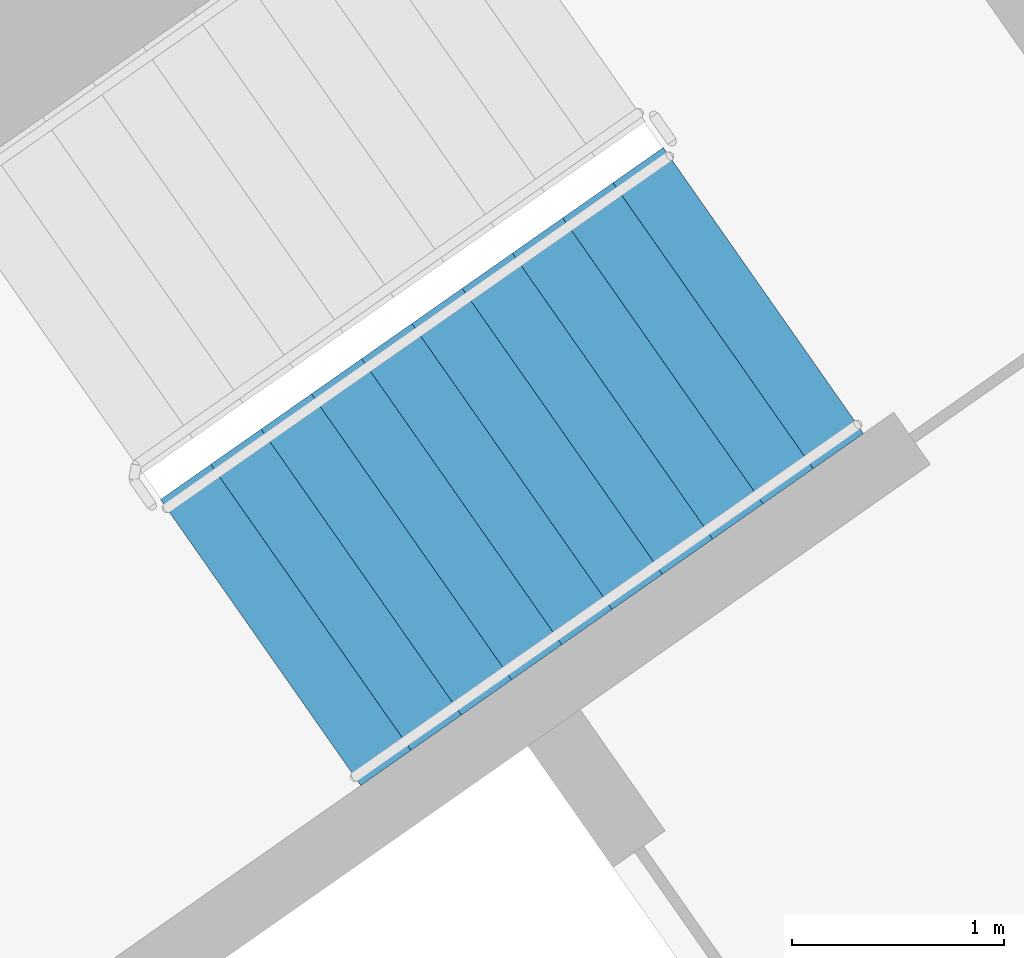
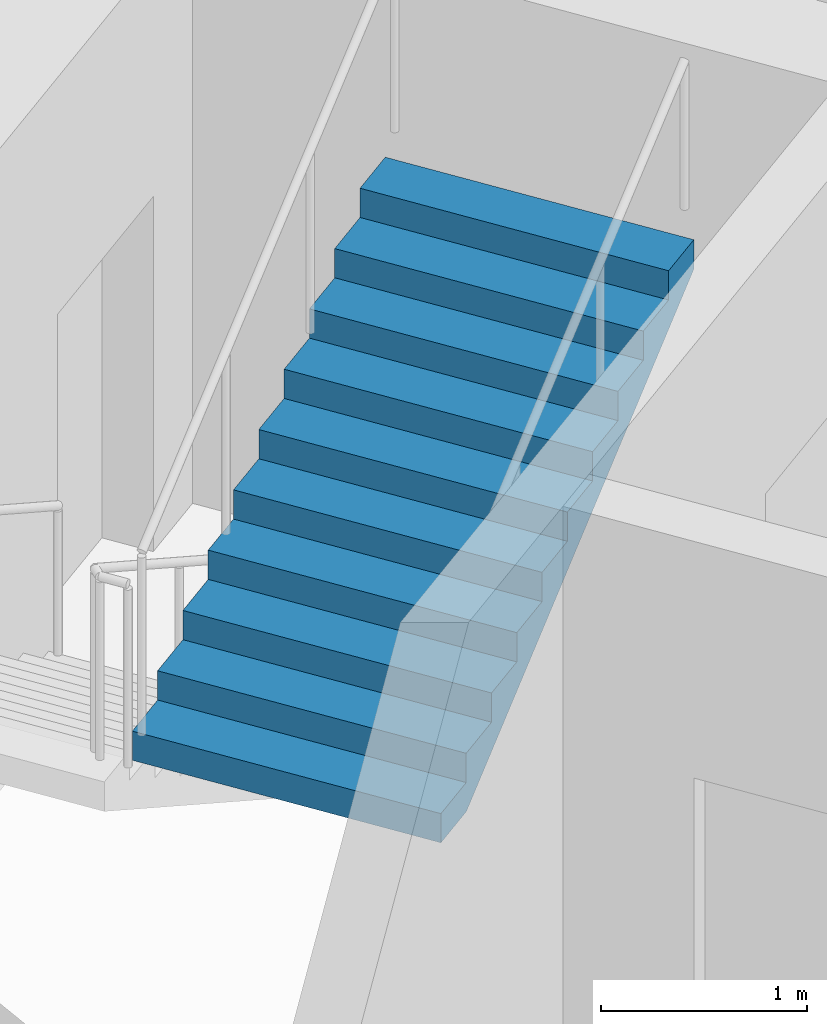
# One storey, part 15 of 27: 1 stair flight, 1 element without a shape of its own.
"""IFC4 building model written with IfcOpenShell, lengths in metres."""

from ifc_helpers import new_model, si_unit, direction, frame, origin, place, context, subcontext, project, spatial, faceted_brep, material, type_object, element, aggregate, save


model = new_model("IFC4")

# Units and contexts
model_context = context("Model", 3, precision=1e-05, world=origin(), true_north=direction((0.0, 1.0)))
body_context = subcontext(model_context, "Body", "Model", "MODEL_VIEW")
ifc_project = project(units=[si_unit("LENGTHUNIT", "METRE"), si_unit("AREAUNIT", "SQUARE_METRE"), si_unit("VOLUMEUNIT", "CUBIC_METRE"), si_unit("PLANEANGLEUNIT", "RADIAN"), si_unit("MASSUNIT", "GRAM", prefix="KILO")], contexts=[model_context])

# Site, building, storey
site_placement = place(None, origin())
site = spatial("IfcSite", under=ifc_project, at=site_placement, CompositionType="ELEMENT")
building_placement = place(site_placement, origin())
building = spatial("IfcBuilding", under=site, at=building_placement, Name="Qamariyya Broadcast Tower", CompositionType="ELEMENT")
storey_placement = place(building_placement, frame((0.0, 0.0, 211.300048828125)))
storey = spatial("IfcBuildingStorey", under=building, at=storey_placement, Name="L50", CompositionType="ELEMENT", Elevation=211.300048828125)

# Stair, stair flight
ifc_material = material(Name="Concrete C50/60", Category="concrete")
stair_type = type_object("IfcStairType", Name="Exit stair 22 risers of 173 mm", PredefinedType="HALF_TURN_STAIR", material=ifc_material)
stair_placement = place(storey_placement, origin())
stair = element("IfcStair", 1, at=stair_placement, inside=storey, type_object=stair_type, Name="L50 Stair E2", PredefinedType="HALF_TURN_STAIR")
stair_flight_type = type_object("IfcStairFlightType", Name="Exit stair flight 11 risers of 173 mm", PredefinedType="STRAIGHT", material=ifc_material)
stair_flight_placement = place(storey_placement, frame((39.215576171875, -50.822998046875, 1.89990234375), z_axis=(0.0, 0.0, 1.0), x_axis=(0.819152044289, 0.573576436351, 0.0)))
stair_flight = element("IfcStairFlight", 2, at=stair_flight_placement, type_object=stair_flight_type, Name="ST-E2 flight 2", NumberOfRisers=11, NumberOfTreads=10, PredefinedType="STRAIGHT", RiserHeight=0.172727273, TreadLength=0.29, context=body_context, shape_type="Brep", body=[
    faceted_brep([(0.0, 0.824951171875, 0.0), (0.0, 0.824951171875, 0.172607421875), (0.2900390625, 0.824951171875, 0.172607421875), (0.2900390625, 0.824951171875, 0.345458984375), (0.580078125, 0.824951171875, 0.345458984375), (0.580078125, 0.824951171875, 0.51806640625), (0.8701171875, 0.824951171875, 0.51806640625), (0.8701171875, 0.824951171875, 0.69091796875), (1.159912109375, 0.824951171875, 0.69091796875), (1.159912109375, 0.824951171875, 0.863525390625), (1.449951171875, 0.824951171875, 0.863525390625), (1.449951171875, 0.824951171875, 1.036376953125), (1.739990234375, 0.824951171875, 1.036376953125), (1.739990234375, 0.824951171875, 1.208984375), (2.030029296875, 0.824951171875, 1.208984375), (2.030029296875, 0.824951171875, 1.3818359375), (2.320068359375, 0.824951171875, 1.3818359375), (2.320068359375, 0.824951171875, 1.554443359375), (2.610107421875, 0.824951171875, 1.554443359375), (2.610107421875, 0.824951171875, 1.727294921875), (2.89990234375, 0.824951171875, 1.727294921875), (2.89990234375, 0.824951171875, 1.552734375), (0.29296875, 0.824951171875, 0.0), (0.29296875, -0.824951171875, 0.0), (2.89990234375, -0.824951171875, 1.552734375), (2.89990234375, -0.824951171875, 1.727294921875), (2.610107421875, -0.824951171875, 1.727294921875), (2.610107421875, -0.824951171875, 1.554443359375), (2.320068359375, -0.824951171875, 1.554443359375), (2.320068359375, -0.824951171875, 1.3818359375), (2.030029296875, -0.824951171875, 1.3818359375), (2.030029296875, -0.824951171875, 1.208984375), (1.739990234375, -0.824951171875, 1.208984375), (1.739990234375, -0.824951171875, 1.036376953125), (1.449951171875, -0.824951171875, 1.036376953125), (1.449951171875, -0.824951171875, 0.863525390625), (1.159912109375, -0.824951171875, 0.863525390625), (1.159912109375, -0.824951171875, 0.69091796875), (0.8701171875, -0.824951171875, 0.69091796875), (0.8701171875, -0.824951171875, 0.51806640625), (0.580078125, -0.824951171875, 0.51806640625), (0.580078125, -0.824951171875, 0.345458984375), (0.2900390625, -0.824951171875, 0.345458984375), (0.2900390625, -0.824951171875, 0.172607421875), (0.0, -0.824951171875, 0.172607421875), (0.0, -0.824951171875, 0.0), (0.0, 0.10009765625, 0.0), (0.0, 0.086669921875, 0.0), (0.0, 0.0732421875, 0.0), (0.0, 0.06005859375, 0.0), (0.0, 0.046630859375, 0.0), (0.0, 0.033447265625, 0.0), (0.0, 0.02001953125, 0.0), (0.0, 0.006591796875, 0.0), (0.0, -0.006591796875, 0.0), (0.0, -0.02001953125, 0.0), (0.0, -0.033447265625, 0.0), (0.0, -0.046630859375, 0.0), (0.0, -0.06005859375, 0.0), (0.0, -0.0732421875, 0.0), (0.0, -0.086669921875, 0.0), (0.0, -0.10009765625, 0.0), (0.0, -0.10009765625, 0.172607421875), (0.0, -0.086669921875, 0.172607421875), (0.0, -0.0732421875, 0.172607421875), (0.0, -0.06005859375, 0.172607421875), (0.0, -0.046630859375, 0.172607421875), (0.0, -0.033447265625, 0.172607421875), (0.0, -0.02001953125, 0.172607421875), (0.0, -0.006591796875, 0.172607421875), (0.0, 0.006591796875, 0.172607421875), (0.0, 0.02001953125, 0.172607421875), (0.0, 0.033447265625, 0.172607421875), (0.0, 0.046630859375, 0.172607421875), (0.0, 0.06005859375, 0.172607421875), (0.0, 0.0732421875, 0.172607421875), (0.0, 0.086669921875, 0.172607421875), (0.0, 0.10009765625, 0.172607421875), (0.2900390625, -0.10009765625, 0.172607421875), (0.2900390625, -0.086669921875, 0.172607421875), (0.2900390625, -0.0732421875, 0.172607421875), (0.2900390625, -0.06005859375, 0.172607421875), (0.2900390625, -0.046630859375, 0.172607421875), (0.2900390625, -0.033447265625, 0.172607421875), (0.2900390625, -0.02001953125, 0.172607421875), (0.2900390625, -0.006591796875, 0.172607421875), (0.2900390625, 0.006591796875, 0.172607421875), (0.2900390625, 0.02001953125, 0.172607421875), (0.2900390625, 0.033447265625, 0.172607421875), (0.2900390625, 0.046630859375, 0.172607421875), (0.2900390625, 0.06005859375, 0.172607421875), (0.2900390625, 0.0732421875, 0.172607421875), (0.2900390625, 0.086669921875, 0.172607421875), (0.2900390625, 0.10009765625, 0.172607421875), (0.2900390625, -0.10009765625, 0.345458984375), (0.2900390625, -0.086669921875, 0.345458984375), (0.2900390625, -0.0732421875, 0.345458984375), (0.2900390625, -0.06005859375, 0.345458984375), (0.2900390625, -0.046630859375, 0.345458984375), (0.2900390625, -0.033447265625, 0.345458984375), (0.2900390625, -0.02001953125, 0.345458984375), (0.2900390625, -0.006591796875, 0.345458984375), (0.2900390625, 0.006591796875, 0.345458984375), (0.2900390625, 0.02001953125, 0.345458984375), (0.2900390625, 0.033447265625, 0.345458984375), (0.2900390625, 0.046630859375, 0.345458984375), (0.2900390625, 0.06005859375, 0.345458984375), (0.2900390625, 0.0732421875, 0.345458984375), (0.2900390625, 0.086669921875, 0.345458984375), (0.2900390625, 0.10009765625, 0.345458984375), (0.580078125, -0.10009765625, 0.345458984375), (0.580078125, -0.086669921875, 0.345458984375), (0.580078125, -0.0732421875, 0.345458984375), (0.580078125, -0.06005859375, 0.345458984375), (0.580078125, -0.046630859375, 0.345458984375), (0.580078125, -0.033447265625, 0.345458984375), (0.580078125, -0.02001953125, 0.345458984375), (0.580078125, -0.006591796875, 0.345458984375), (0.580078125, 0.006591796875, 0.345458984375), (0.580078125, 0.02001953125, 0.345458984375), (0.580078125, 0.033447265625, 0.345458984375), (0.580078125, 0.046630859375, 0.345458984375), (0.580078125, 0.06005859375, 0.345458984375), (0.580078125, 0.0732421875, 0.345458984375), (0.580078125, 0.086669921875, 0.345458984375), (0.580078125, 0.10009765625, 0.345458984375), (0.580078125, -0.10009765625, 0.51806640625), (0.580078125, -0.086669921875, 0.51806640625), (0.580078125, -0.0732421875, 0.51806640625), (0.580078125, -0.06005859375, 0.51806640625), (0.580078125, -0.046630859375, 0.51806640625), (0.580078125, -0.033447265625, 0.51806640625), (0.580078125, -0.02001953125, 0.51806640625), (0.580078125, -0.006591796875, 0.51806640625), (0.580078125, 0.006591796875, 0.51806640625), (0.580078125, 0.02001953125, 0.51806640625), (0.580078125, 0.033447265625, 0.51806640625), (0.580078125, 0.046630859375, 0.51806640625), (0.580078125, 0.06005859375, 0.51806640625), (0.580078125, 0.0732421875, 0.51806640625), (0.580078125, 0.086669921875, 0.51806640625), (0.580078125, 0.10009765625, 0.51806640625), (0.8701171875, -0.10009765625, 0.51806640625), (0.8701171875, -0.086669921875, 0.51806640625), (0.8701171875, -0.0732421875, 0.51806640625), (0.8701171875, -0.06005859375, 0.51806640625), (0.8701171875, -0.046630859375, 0.51806640625), (0.8701171875, -0.033447265625, 0.51806640625), (0.8701171875, -0.02001953125, 0.51806640625), (0.8701171875, -0.006591796875, 0.51806640625), (0.8701171875, 0.006591796875, 0.51806640625), (0.8701171875, 0.02001953125, 0.51806640625), (0.8701171875, 0.033447265625, 0.51806640625), (0.8701171875, 0.046630859375, 0.51806640625), (0.8701171875, 0.06005859375, 0.51806640625), (0.8701171875, 0.0732421875, 0.51806640625), (0.8701171875, 0.086669921875, 0.51806640625), (0.8701171875, 0.10009765625, 0.51806640625), (0.8701171875, -0.10009765625, 0.69091796875), (0.8701171875, -0.086669921875, 0.69091796875), (0.8701171875, -0.0732421875, 0.69091796875), (0.8701171875, -0.06005859375, 0.69091796875), (0.8701171875, -0.046630859375, 0.69091796875), (0.8701171875, -0.033447265625, 0.69091796875), (0.8701171875, -0.02001953125, 0.69091796875), (0.8701171875, -0.006591796875, 0.69091796875), (0.8701171875, 0.006591796875, 0.69091796875), (0.8701171875, 0.02001953125, 0.69091796875), (0.8701171875, 0.033447265625, 0.69091796875), (0.8701171875, 0.046630859375, 0.69091796875), (0.8701171875, 0.06005859375, 0.69091796875), (0.8701171875, 0.0732421875, 0.69091796875), (0.8701171875, 0.086669921875, 0.69091796875), (0.8701171875, 0.10009765625, 0.69091796875), (1.159912109375, -0.10009765625, 0.69091796875), (1.159912109375, -0.086669921875, 0.69091796875), (1.159912109375, -0.0732421875, 0.69091796875), (1.159912109375, -0.06005859375, 0.69091796875), (1.159912109375, -0.046630859375, 0.69091796875), (1.159912109375, -0.033447265625, 0.69091796875), (1.159912109375, -0.02001953125, 0.69091796875), (1.159912109375, -0.006591796875, 0.69091796875), (1.159912109375, 0.006591796875, 0.69091796875), (1.159912109375, 0.02001953125, 0.69091796875), (1.159912109375, 0.033447265625, 0.69091796875), (1.159912109375, 0.046630859375, 0.69091796875), (1.159912109375, 0.06005859375, 0.69091796875), (1.159912109375, 0.0732421875, 0.69091796875), (1.159912109375, 0.086669921875, 0.69091796875), (1.159912109375, 0.10009765625, 0.69091796875), (1.159912109375, -0.10009765625, 0.863525390625), (1.159912109375, -0.086669921875, 0.863525390625), (1.159912109375, -0.0732421875, 0.863525390625), (1.159912109375, -0.06005859375, 0.863525390625), (1.159912109375, -0.046630859375, 0.863525390625), (1.159912109375, -0.033447265625, 0.863525390625), (1.159912109375, -0.02001953125, 0.863525390625), (1.159912109375, -0.006591796875, 0.863525390625), (1.159912109375, 0.006591796875, 0.863525390625), (1.159912109375, 0.02001953125, 0.863525390625), (1.159912109375, 0.033447265625, 0.863525390625), (1.159912109375, 0.046630859375, 0.863525390625), (1.159912109375, 0.06005859375, 0.863525390625), (1.159912109375, 0.0732421875, 0.863525390625), (1.159912109375, 0.086669921875, 0.863525390625), (1.159912109375, 0.10009765625, 0.863525390625), (1.449951171875, -0.10009765625, 0.863525390625), (1.449951171875, -0.086669921875, 0.863525390625), (1.449951171875, -0.0732421875, 0.863525390625), (1.449951171875, -0.06005859375, 0.863525390625), (1.449951171875, -0.046630859375, 0.863525390625), (1.449951171875, -0.033447265625, 0.863525390625), (1.449951171875, -0.02001953125, 0.863525390625), (1.449951171875, -0.006591796875, 0.863525390625), (1.449951171875, 0.006591796875, 0.863525390625), (1.449951171875, 0.02001953125, 0.863525390625), (1.449951171875, 0.033447265625, 0.863525390625), (1.449951171875, 0.046630859375, 0.863525390625), (1.449951171875, 0.06005859375, 0.863525390625), (1.449951171875, 0.0732421875, 0.863525390625), (1.449951171875, 0.086669921875, 0.863525390625), (1.449951171875, 0.10009765625, 0.863525390625), (1.449951171875, -0.10009765625, 1.036376953125), (1.449951171875, -0.086669921875, 1.036376953125), (1.449951171875, -0.0732421875, 1.036376953125), (1.449951171875, -0.06005859375, 1.036376953125), (1.449951171875, -0.046630859375, 1.036376953125), (1.449951171875, -0.033447265625, 1.036376953125), (1.449951171875, -0.02001953125, 1.036376953125), (1.449951171875, -0.006591796875, 1.036376953125), (1.449951171875, 0.006591796875, 1.036376953125), (1.449951171875, 0.02001953125, 1.036376953125), (1.449951171875, 0.033447265625, 1.036376953125), (1.449951171875, 0.046630859375, 1.036376953125), (1.449951171875, 0.06005859375, 1.036376953125), (1.449951171875, 0.0732421875, 1.036376953125), (1.449951171875, 0.086669921875, 1.036376953125), (1.449951171875, 0.10009765625, 1.036376953125), (1.739990234375, -0.10009765625, 1.036376953125), (1.739990234375, -0.086669921875, 1.036376953125), (1.739990234375, -0.0732421875, 1.036376953125), (1.739990234375, -0.06005859375, 1.036376953125), (1.739990234375, -0.046630859375, 1.036376953125), (1.739990234375, -0.033447265625, 1.036376953125), (1.739990234375, -0.02001953125, 1.036376953125), (1.739990234375, -0.006591796875, 1.036376953125), (1.739990234375, 0.006591796875, 1.036376953125), (1.739990234375, 0.02001953125, 1.036376953125), (1.739990234375, 0.033447265625, 1.036376953125), (1.739990234375, 0.046630859375, 1.036376953125), (1.739990234375, 0.06005859375, 1.036376953125), (1.739990234375, 0.0732421875, 1.036376953125), (1.739990234375, 0.086669921875, 1.036376953125), (1.739990234375, 0.10009765625, 1.036376953125), (1.739990234375, -0.10009765625, 1.208984375), (1.739990234375, -0.086669921875, 1.208984375), (1.739990234375, -0.0732421875, 1.208984375), (1.739990234375, -0.06005859375, 1.208984375), (1.739990234375, -0.046630859375, 1.208984375), (1.739990234375, -0.033447265625, 1.208984375), (1.739990234375, -0.02001953125, 1.208984375), (1.739990234375, -0.006591796875, 1.208984375), (1.739990234375, 0.006591796875, 1.208984375), (1.739990234375, 0.02001953125, 1.208984375), (1.739990234375, 0.033447265625, 1.208984375), (1.739990234375, 0.046630859375, 1.208984375), (1.739990234375, 0.06005859375, 1.208984375), (1.739990234375, 0.0732421875, 1.208984375), (1.739990234375, 0.086669921875, 1.208984375), (1.739990234375, 0.10009765625, 1.208984375), (2.030029296875, -0.10009765625, 1.208984375), (2.030029296875, -0.086669921875, 1.208984375), (2.030029296875, -0.0732421875, 1.208984375), (2.030029296875, -0.06005859375, 1.208984375), (2.030029296875, -0.046630859375, 1.208984375), (2.030029296875, -0.033447265625, 1.208984375), (2.030029296875, -0.02001953125, 1.208984375), (2.030029296875, -0.006591796875, 1.208984375), (2.030029296875, 0.006591796875, 1.208984375), (2.030029296875, 0.02001953125, 1.208984375), (2.030029296875, 0.033447265625, 1.208984375), (2.030029296875, 0.046630859375, 1.208984375), (2.030029296875, 0.06005859375, 1.208984375), (2.030029296875, 0.0732421875, 1.208984375), (2.030029296875, 0.086669921875, 1.208984375), (2.030029296875, 0.10009765625, 1.208984375), (2.030029296875, -0.10009765625, 1.3818359375), (2.030029296875, -0.086669921875, 1.3818359375), (2.030029296875, -0.0732421875, 1.3818359375), (2.030029296875, -0.06005859375, 1.3818359375), (2.030029296875, -0.046630859375, 1.3818359375), (2.030029296875, -0.033447265625, 1.3818359375), (2.030029296875, -0.02001953125, 1.3818359375), (2.030029296875, -0.006591796875, 1.3818359375), (2.030029296875, 0.006591796875, 1.3818359375), (2.030029296875, 0.02001953125, 1.3818359375), (2.030029296875, 0.033447265625, 1.3818359375), (2.030029296875, 0.046630859375, 1.3818359375), (2.030029296875, 0.06005859375, 1.3818359375), (2.030029296875, 0.0732421875, 1.3818359375), (2.030029296875, 0.086669921875, 1.3818359375), (2.030029296875, 0.10009765625, 1.3818359375), (2.320068359375, -0.10009765625, 1.3818359375), (2.320068359375, -0.086669921875, 1.3818359375), (2.320068359375, -0.0732421875, 1.3818359375), (2.320068359375, -0.06005859375, 1.3818359375), (2.320068359375, -0.046630859375, 1.3818359375), (2.320068359375, -0.033447265625, 1.3818359375), (2.320068359375, -0.02001953125, 1.3818359375), (2.320068359375, -0.006591796875, 1.3818359375), (2.320068359375, 0.006591796875, 1.3818359375), (2.320068359375, 0.02001953125, 1.3818359375), (2.320068359375, 0.033447265625, 1.3818359375), (2.320068359375, 0.046630859375, 1.3818359375), (2.320068359375, 0.06005859375, 1.3818359375), (2.320068359375, 0.0732421875, 1.3818359375), (2.320068359375, 0.086669921875, 1.3818359375), (2.320068359375, 0.10009765625, 1.3818359375), (2.320068359375, -0.10009765625, 1.554443359375), (2.320068359375, -0.086669921875, 1.554443359375), (2.320068359375, -0.0732421875, 1.554443359375), (2.320068359375, -0.06005859375, 1.554443359375), (2.320068359375, -0.046630859375, 1.554443359375), (2.320068359375, -0.033447265625, 1.554443359375), (2.320068359375, -0.02001953125, 1.554443359375), (2.320068359375, -0.006591796875, 1.554443359375), (2.320068359375, 0.006591796875, 1.554443359375), (2.320068359375, 0.02001953125, 1.554443359375), (2.320068359375, 0.033447265625, 1.554443359375), (2.320068359375, 0.046630859375, 1.554443359375), (2.320068359375, 0.06005859375, 1.554443359375), (2.320068359375, 0.0732421875, 1.554443359375), (2.320068359375, 0.086669921875, 1.554443359375), (2.320068359375, 0.10009765625, 1.554443359375), (2.610107421875, -0.10009765625, 1.554443359375), (2.610107421875, -0.086669921875, 1.554443359375), (2.610107421875, -0.0732421875, 1.554443359375), (2.610107421875, -0.06005859375, 1.554443359375), (2.610107421875, -0.046630859375, 1.554443359375), (2.610107421875, -0.033447265625, 1.554443359375), (2.610107421875, -0.02001953125, 1.554443359375), (2.610107421875, -0.006591796875, 1.554443359375), (2.610107421875, 0.006591796875, 1.554443359375), (2.610107421875, 0.02001953125, 1.554443359375), (2.610107421875, 0.033447265625, 1.554443359375), (2.610107421875, 0.046630859375, 1.554443359375), (2.610107421875, 0.06005859375, 1.554443359375), (2.610107421875, 0.0732421875, 1.554443359375), (2.610107421875, 0.086669921875, 1.554443359375), (2.610107421875, 0.10009765625, 1.554443359375), (2.610107421875, -0.10009765625, 1.727294921875), (2.610107421875, -0.086669921875, 1.727294921875), (2.610107421875, -0.0732421875, 1.727294921875), (2.610107421875, -0.06005859375, 1.727294921875), (2.610107421875, -0.046630859375, 1.727294921875), (2.610107421875, -0.033447265625, 1.727294921875), (2.610107421875, -0.02001953125, 1.727294921875), (2.610107421875, -0.006591796875, 1.727294921875), (2.610107421875, 0.006591796875, 1.727294921875), (2.610107421875, 0.02001953125, 1.727294921875), (2.610107421875, 0.033447265625, 1.727294921875), (2.610107421875, 0.046630859375, 1.727294921875), (2.610107421875, 0.06005859375, 1.727294921875), (2.610107421875, 0.0732421875, 1.727294921875), (2.610107421875, 0.086669921875, 1.727294921875), (2.610107421875, 0.10009765625, 1.727294921875), (2.89990234375, -0.10009765625, 1.727294921875), (2.89990234375, -0.086669921875, 1.727294921875), (2.89990234375, -0.0732421875, 1.727294921875), (2.89990234375, -0.06005859375, 1.727294921875), (2.89990234375, -0.046630859375, 1.727294921875), (2.89990234375, -0.033447265625, 1.727294921875), (2.89990234375, -0.02001953125, 1.727294921875), (2.89990234375, -0.006591796875, 1.727294921875), (2.89990234375, 0.006591796875, 1.727294921875), (2.89990234375, 0.02001953125, 1.727294921875), (2.89990234375, 0.033447265625, 1.727294921875), (2.89990234375, 0.046630859375, 1.727294921875), (2.89990234375, 0.06005859375, 1.727294921875), (2.89990234375, 0.0732421875, 1.727294921875), (2.89990234375, 0.086669921875, 1.727294921875), (2.89990234375, 0.10009765625, 1.727294921875), (2.89990234375, -0.10009765625, 1.552734375), (2.89990234375, -0.086669921875, 1.552734375), (2.89990234375, -0.0732421875, 1.552734375), (2.89990234375, -0.06005859375, 1.552734375), (2.89990234375, -0.046630859375, 1.552734375), (2.89990234375, -0.033447265625, 1.552734375), (2.89990234375, -0.02001953125, 1.552734375), (2.89990234375, -0.006591796875, 1.552734375), (2.89990234375, 0.006591796875, 1.552734375), (2.89990234375, 0.02001953125, 1.552734375), (2.89990234375, 0.033447265625, 1.552734375), (2.89990234375, 0.046630859375, 1.552734375), (2.89990234375, 0.06005859375, 1.552734375), (2.89990234375, 0.0732421875, 1.552734375), (2.89990234375, 0.086669921875, 1.552734375), (2.89990234375, 0.10009765625, 1.552734375), (0.29296875, -0.10009765625, 0.0), (0.29296875, -0.086669921875, 0.0), (0.29296875, -0.0732421875, 0.0), (0.29296875, -0.06005859375, 0.0), (0.29296875, -0.046630859375, 0.0), (0.29296875, -0.033447265625, 0.0), (0.29296875, -0.02001953125, 0.0), (0.29296875, -0.006591796875, 0.0), (0.29296875, 0.006591796875, 0.0), (0.29296875, 0.02001953125, 0.0), (0.29296875, 0.033447265625, 0.0), (0.29296875, 0.046630859375, 0.0), (0.29296875, 0.06005859375, 0.0), (0.29296875, 0.0732421875, 0.0), (0.29296875, 0.086669921875, 0.0), (0.29296875, 0.10009765625, 0.0)], [[[0, 1, 2, 3, 4, 5, 6, 7, 8, 9, 10, 11, 12, 13, 14, 15, 16, 17, 18, 19, 20, 21, 22]], [[23, 24, 25, 26, 27, 28, 29, 30, 31, 32, 33, 34, 35, 36, 37, 38, 39, 40, 41, 42, 43, 44, 45]], [[0, 46, 47, 48, 49, 50, 51, 52, 53, 54, 55, 56, 57, 58, 59, 60, 61, 45, 44, 62, 63, 64, 65, 66, 67, 68, 69, 70, 71, 72, 73, 74, 75, 76, 77, 1]], [[1, 77, 76, 75, 74, 73, 72, 71, 70, 69, 68, 67, 66, 65, 64, 63, 62, 44, 43, 78, 79, 80, 81, 82, 83, 84, 85, 86, 87, 88, 89, 90, 91, 92, 93, 2]], [[2, 93, 92, 91, 90, 89, 88, 87, 86, 85, 84, 83, 82, 81, 80, 79, 78, 43, 42, 94, 95, 96, 97, 98, 99, 100, 101, 102, 103, 104, 105, 106, 107, 108, 109, 3]], [[3, 109, 108, 107, 106, 105, 104, 103, 102, 101, 100, 99, 98, 97, 96, 95, 94, 42, 41, 110, 111, 112, 113, 114, 115, 116, 117, 118, 119, 120, 121, 122, 123, 124, 125, 4]], [[4, 125, 124, 123, 122, 121, 120, 119, 118, 117, 116, 115, 114, 113, 112, 111, 110, 41, 40, 126, 127, 128, 129, 130, 131, 132, 133, 134, 135, 136, 137, 138, 139, 140, 141, 5]], [[5, 141, 140, 139, 138, 137, 136, 135, 134, 133, 132, 131, 130, 129, 128, 127, 126, 40, 39, 142, 143, 144, 145, 146, 147, 148, 149, 150, 151, 152, 153, 154, 155, 156, 157, 6]], [[6, 157, 156, 155, 154, 153, 152, 151, 150, 149, 148, 147, 146, 145, 144, 143, 142, 39, 38, 158, 159, 160, 161, 162, 163, 164, 165, 166, 167, 168, 169, 170, 171, 172, 173, 7]], [[7, 173, 172, 171, 170, 169, 168, 167, 166, 165, 164, 163, 162, 161, 160, 159, 158, 38, 37, 174, 175, 176, 177, 178, 179, 180, 181, 182, 183, 184, 185, 186, 187, 188, 189, 8]], [[8, 189, 188, 187, 186, 185, 184, 183, 182, 181, 180, 179, 178, 177, 176, 175, 174, 37, 36, 190, 191, 192, 193, 194, 195, 196, 197, 198, 199, 200, 201, 202, 203, 204, 205, 9]], [[9, 205, 204, 203, 202, 201, 200, 199, 198, 197, 196, 195, 194, 193, 192, 191, 190, 36, 35, 206, 207, 208, 209, 210, 211, 212, 213, 214, 215, 216, 217, 218, 219, 220, 221, 10]], [[10, 221, 220, 219, 218, 217, 216, 215, 214, 213, 212, 211, 210, 209, 208, 207, 206, 35, 34, 222, 223, 224, 225, 226, 227, 228, 229, 230, 231, 232, 233, 234, 235, 236, 237, 11]], [[11, 237, 236, 235, 234, 233, 232, 231, 230, 229, 228, 227, 226, 225, 224, 223, 222, 34, 33, 238, 239, 240, 241, 242, 243, 244, 245, 246, 247, 248, 249, 250, 251, 252, 253, 12]], [[12, 253, 252, 251, 250, 249, 248, 247, 246, 245, 244, 243, 242, 241, 240, 239, 238, 33, 32, 254, 255, 256, 257, 258, 259, 260, 261, 262, 263, 264, 265, 266, 267, 268, 269, 13]], [[13, 269, 268, 267, 266, 265, 264, 263, 262, 261, 260, 259, 258, 257, 256, 255, 254, 32, 31, 270, 271, 272, 273, 274, 275, 276, 277, 278, 279, 280, 281, 282, 283, 284, 285, 14]], [[14, 285, 284, 283, 282, 281, 280, 279, 278, 277, 276, 275, 274, 273, 272, 271, 270, 31, 30, 286, 287, 288, 289, 290, 291, 292, 293, 294, 295, 296, 297, 298, 299, 300, 301, 15]], [[15, 301, 300, 299, 298, 297, 296, 295, 294, 293, 292, 291, 290, 289, 288, 287, 286, 30, 29, 302, 303, 304, 305, 306, 307, 308, 309, 310, 311, 312, 313, 314, 315, 316, 317, 16]], [[16, 317, 316, 315, 314, 313, 312, 311, 310, 309, 308, 307, 306, 305, 304, 303, 302, 29, 28, 318, 319, 320, 321, 322, 323, 324, 325, 326, 327, 328, 329, 330, 331, 332, 333, 17]], [[17, 333, 332, 331, 330, 329, 328, 327, 326, 325, 324, 323, 322, 321, 320, 319, 318, 28, 27, 334, 335, 336, 337, 338, 339, 340, 341, 342, 343, 344, 345, 346, 347, 348, 349, 18]], [[18, 349, 348, 347, 346, 345, 344, 343, 342, 341, 340, 339, 338, 337, 336, 335, 334, 27, 26, 350, 351, 352, 353, 354, 355, 356, 357, 358, 359, 360, 361, 362, 363, 364, 365, 19]], [[19, 365, 364, 363, 362, 361, 360, 359, 358, 357, 356, 355, 354, 353, 352, 351, 350, 26, 25, 366, 367, 368, 369, 370, 371, 372, 373, 374, 375, 376, 377, 378, 379, 380, 381, 20]], [[20, 381, 380, 379, 378, 377, 376, 375, 374, 373, 372, 371, 370, 369, 368, 367, 366, 25, 24, 382, 383, 384, 385, 386, 387, 388, 389, 390, 391, 392, 393, 394, 395, 396, 397, 21]], [[21, 397, 396, 395, 394, 393, 392, 391, 390, 389, 388, 387, 386, 385, 384, 383, 382, 24, 23, 398, 399, 400, 401, 402, 403, 404, 405, 406, 407, 408, 409, 410, 411, 412, 413, 22]], [[22, 413, 412, 411, 410, 409, 408, 407, 406, 405, 404, 403, 402, 401, 400, 399, 398, 23, 45, 61, 60, 59, 58, 57, 56, 55, 54, 53, 52, 51, 50, 49, 48, 47, 46, 0]]]),
])
aggregate(stair, [stair_flight])

save(model, "model.ifc")
